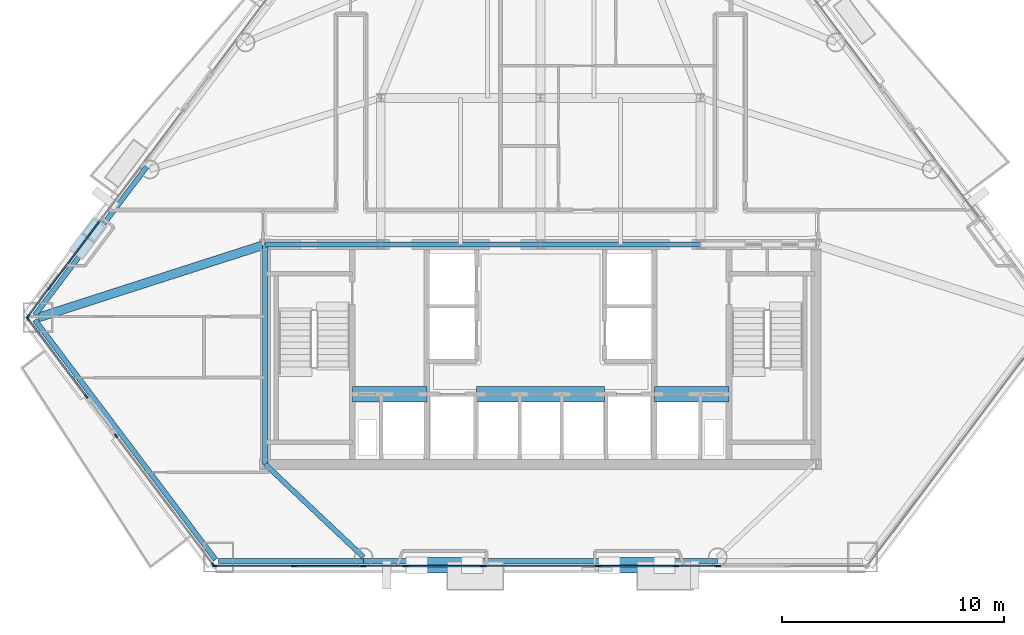
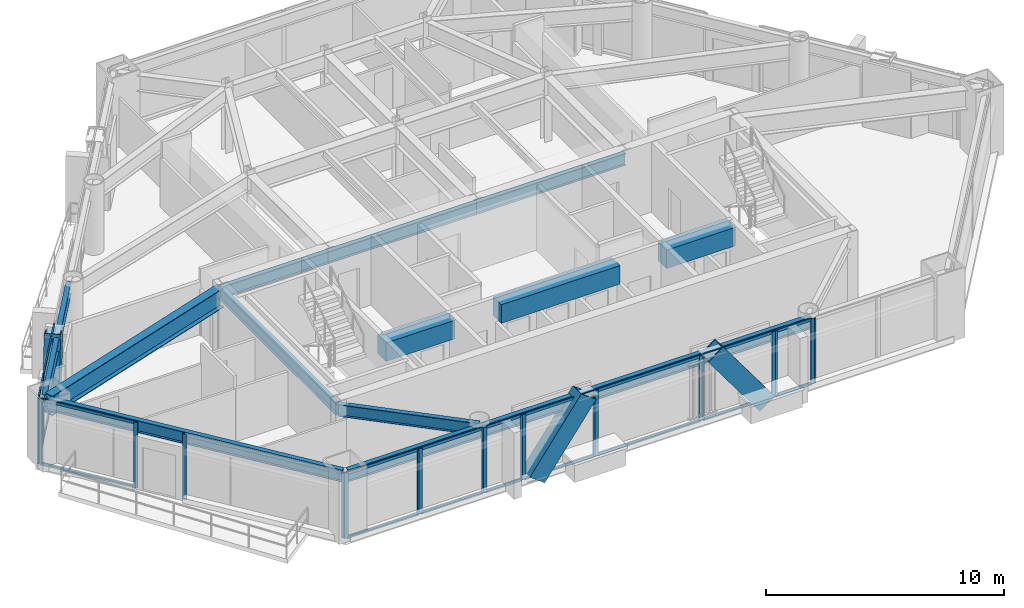
# One storey, part 2 of 10: 45 members, 13 beams, 12 elements without a shape of their own.
"""IFC4 building model written with IfcOpenShell, lengths in metres."""

from ifc_helpers import new_model, si_unit, direction, frame, origin, origin_2d, place, context, subcontext, project, spatial, rectangle, hollow_rectangle, i_section, extrude, material, layer, layer_set, material_profile, profile_set, type_object, element, aggregate, save


model = new_model("IFC4")

# Units and contexts
model_context = context("Model", 3, precision=1e-05, world=origin(), true_north=direction((0.0, 1.0)))
body_context = subcontext(model_context, "Body", "Model", "MODEL_VIEW")
ifc_project = project(units=[si_unit("LENGTHUNIT", "METRE"), si_unit("AREAUNIT", "SQUARE_METRE"), si_unit("VOLUMEUNIT", "CUBIC_METRE"), si_unit("PLANEANGLEUNIT", "RADIAN"), si_unit("MASSUNIT", "GRAM", prefix="KILO")], contexts=[model_context])

# Site, building, storey
site_placement = place(None, origin())
site = spatial("IfcSite", under=ifc_project, at=site_placement, CompositionType="ELEMENT")
building_placement = place(site_placement, origin())
building = spatial("IfcBuilding", under=site, at=building_placement, Name="Talgorran Terracotta Tower", CompositionType="ELEMENT")
storey_placement = place(building_placement, frame((0.0, 0.0, 31.5)))
storey = spatial("IfcBuildingStorey", under=building, at=storey_placement, Name="L07", CompositionType="ELEMENT", Elevation=31.5)

# Beams
ifc_material_1 = material(Name="Steel Grade 350 (350L0)", Category="steel")
ifc_material_profile_1 = material_profile(ifc_material_1, i_section(OverallWidth=0.39990234375, OverallDepth=1.0, WebThickness=0.01611328125, FlangeThickness=0.031005859375, at=origin_2d()), Name="1000WB296")
ifc_profile_set_1 = profile_set([ifc_material_profile_1], Name="Steel Grade 350 (350L0)")
beam_type_1 = type_object("IfcBeamType", Name="BM_1000WB296", PredefinedType="BEAM", material=ifc_profile_set_1)
beam_1_placement = place(storey_placement, frame((-12.39990234375, -4.199951171875, 2.85009765625), z_axis=(-0.951935828117, -0.306297533694, 0.0), x_axis=(0.306297533694, -0.951935828117, 0.0)))
element("IfcBeam", 1, at=beam_1_placement, inside=storey, type_object=beam_type_1, Name="L07 Floor Girder G17", PredefinedType="BEAM", context=body_context, shape_type="SweptSolid", body=[
    extrude(i_section(OverallWidth=0.39990234375, OverallDepth=1.0, WebThickness=0.01611328125, FlangeThickness=0.031005859375, at=origin_2d()), origin(), (0.0, 0.0, 1.0), 10.742919921875),
])
ifc_material_2 = material(Name="Concrete C65/80", Category="concrete")
ifc_material_profile_2 = material_profile(ifc_material_2, rectangle(XDim=0.699951171875, YDim=0.949951171875, at=origin_2d()), Name="RCCB700X950")
ifc_profile_set_2 = profile_set([ifc_material_profile_2], Name="Concrete C65/80")
beam_type_2 = type_object("IfcBeamType", Name="BM_CB_700X950", PredefinedType="LINTEL", material=ifc_profile_set_2)
beam_2_placement = place(storey_placement, frame((-8.47998046875, -10.949951171875, 2.875), z_axis=(1.0, 0.0, 0.0), x_axis=(0.0, 1.0, 0.0)))
element("IfcBeam", 2, at=beam_2_placement, inside=storey, type_object=beam_type_2, Name="L07 Core Shear-Wall Coupling Beam CB1", PredefinedType="LINTEL", context=body_context, shape_type="SweptSolid", body=[
    extrude(rectangle(XDim=0.699951171875, YDim=0.949951171875, at=origin_2d()), origin(), (0.0, 0.0, 1.0), 3.35986328125),
])
beam_3_placement = place(storey_placement, frame((-2.8798828125, -10.949951171875, 2.875), z_axis=(1.0, 0.0, 0.0), x_axis=(0.0, 1.0, 0.0)))
element("IfcBeam", 3, at=beam_3_placement, inside=storey, type_object=beam_type_2, Name="L07 Core Shear-Wall Coupling Beam CB2", PredefinedType="LINTEL", context=body_context, shape_type="SweptSolid", body=[
    extrude(rectangle(XDim=0.699951171875, YDim=0.949951171875, at=origin_2d()), origin(), (0.0, 0.0, 1.0), 5.759765625),
])
beam_4_placement = place(storey_placement, frame((5.1201171875, -10.949951171875, 2.875), z_axis=(1.0, 0.0, 0.0), x_axis=(0.0, 1.0, 0.0)))
element("IfcBeam", 4, at=beam_4_placement, inside=storey, type_object=beam_type_2, Name="L07 Core Shear-Wall Coupling Beam CB3", PredefinedType="LINTEL", context=body_context, shape_type="SweptSolid", body=[
    extrude(rectangle(XDim=0.699951171875, YDim=0.949951171875, at=origin_2d()), origin(), (0.0, 0.0, 1.0), 3.35986328125),
])
ifc_material_3 = material(Name="Steel S355 (300PLUS)", Category="steel")
ifc_material_profile_3 = material_profile(ifc_material_3, i_section(OverallWidth=0.22900390625, OverallDepth=0.611572265625, WebThickness=0.011962890625, FlangeThickness=0.01953125, at=origin_2d()), Name="610UB125")
ifc_profile_set_3 = profile_set([ifc_material_profile_3], Name="Steel S355 (300PLUS)")
beam_type_3 = type_object("IfcBeamType", Name="BM_SP_610UB125", PredefinedType="SPANDREL", material=ifc_profile_set_3)
beam_5_placement = place(storey_placement, frame((-22.770263671875, -7.5986328125, 3.044189453125), z_axis=(0.601820005964, -0.798631755205, 0.0), x_axis=(0.798631755205, 0.601820005964, 0.0)))
element("IfcBeam", 5, at=beam_5_placement, inside=storey, type_object=beam_type_3, Name="L07 Perimeter Spandrel Beam MC1-MC2", PredefinedType="SPANDREL", context=body_context, shape_type="SweptSolid", body=[
    extrude(i_section(OverallWidth=0.22900390625, OverallDepth=0.611572265625, WebThickness=0.011962890625, FlangeThickness=0.01953125, at=origin_2d()), origin(), (0.0, 0.0, 1.0), 13.510009765625),
])
beam_6_placement = place(storey_placement, frame((-14.495849609375, -18.4599609375, 3.044189453125), z_axis=(1.0, 0.0, 0.0), x_axis=(0.0, 1.0, 0.0)))
element("IfcBeam", 6, at=beam_6_placement, inside=storey, type_object=beam_type_3, Name="L07 Perimeter Spandrel Beam MC2-FC1", PredefinedType="SPANDREL", context=body_context, shape_type="SweptSolid", body=[
    extrude(i_section(OverallWidth=0.22900390625, OverallDepth=0.611572265625, WebThickness=0.011962890625, FlangeThickness=0.01953125, at=origin_2d()), origin(), (0.0, 0.0, 1.0), 6.523193359375),
])
beam_7_placement = place(storey_placement, frame((-7.97265625, -18.4599609375, 3.044189453125), z_axis=(1.0, 0.0, 0.0), x_axis=(0.0, 1.0, 0.0)))
element("IfcBeam", 7, at=beam_7_placement, inside=storey, type_object=beam_type_3, Name="L07 Perimeter Spandrel Beam FC1-FC2", PredefinedType="SPANDREL", context=body_context, shape_type="SweptSolid", body=[
    extrude(i_section(OverallWidth=0.22900390625, OverallDepth=0.611572265625, WebThickness=0.011962890625, FlangeThickness=0.01953125, at=origin_2d()), origin(), (0.0, 0.0, 1.0), 15.9453125),
])
beam_8_placement = place(storey_placement, frame((-17.7431640625, -0.710693359375, 3.044189453125), z_axis=(-0.601803503312, -0.798644190739, 0.0), x_axis=(0.798644190739, -0.601803503312, 0.0)))
element("IfcBeam", 8, at=beam_8_placement, inside=storey, type_object=beam_type_3, Name="L07 Perimeter Spandrel Beam FC6-MC1", PredefinedType="SPANDREL", context=body_context, shape_type="SweptSolid", body=[
    extrude(i_section(OverallWidth=0.22900390625, OverallDepth=0.611572265625, WebThickness=0.011962890625, FlangeThickness=0.01953125, at=origin_2d()), origin(), (0.0, 0.0, 1.0), 8.353271484375),
])
beam_9_placement = place(storey_placement, frame((-7.97265625, -18.280029296875, 3.044189453125), z_axis=(-0.727124342691, 0.686505783126, 0.0), x_axis=(-0.686505783126, -0.727124342691, 0.0)))
element("IfcBeam", 9, at=beam_9_placement, inside=storey, type_object=beam_type_3, Name="L07 South-West Core Tie Beam", PredefinedType="SPANDREL", context=body_context, shape_type="SweptSolid", body=[
    extrude(i_section(OverallWidth=0.22900390625, OverallDepth=0.611572265625, WebThickness=0.011962890625, FlangeThickness=0.01953125, at=origin_2d()), origin(), (0.0, 0.0, 1.0), 6.088623046875),
])
beam_10_placement = place(storey_placement, frame((-12.39990234375, -14.10009765625, 3.044189453125), z_axis=(0.0, 1.0, 0.0), x_axis=(-1.0, 0.0, 0.0)))
element("IfcBeam", 10, at=beam_10_placement, inside=storey, type_object=beam_type_3, Name="L07 Core Frame Beam CFW", PredefinedType="SPANDREL", context=body_context, shape_type="SweptSolid", body=[
    extrude(i_section(OverallWidth=0.22900390625, OverallDepth=0.611572265625, WebThickness=0.011962890625, FlangeThickness=0.01953125, at=origin_2d()), origin(), (0.0, 0.0, 1.0), 9.900146484375),
])
beam_11_placement = place(storey_placement, frame((-12.39990234375, -4.199951171875, 3.044189453125), z_axis=(1.0, 0.0, 0.0), x_axis=(0.0, 1.0, 0.0)))
element("IfcBeam", 11, at=beam_11_placement, inside=storey, type_object=beam_type_3, Name="L07 Core Frame Beam CFN1", PredefinedType="SPANDREL", context=body_context, shape_type="SweptSolid", body=[
    extrude(i_section(OverallWidth=0.22900390625, OverallDepth=0.611572265625, WebThickness=0.011962890625, FlangeThickness=0.01953125, at=origin_2d()), origin(), (0.0, 0.0, 1.0), 5.199951171875),
])
for number, where, z_axis, x_axis, name in (
    (12, (-7.199951171875, -4.199951171875, 3.044189453125), (1.0, 0.0, 0.0), (0.0, 1.0, 0.0), "L07 Core Frame Beam CFN2"),
    (13, (0.0, -4.199951171875, 3.044189453125), (1.0, 0.0, 0.0), (0.0, 1.0, 0.0), "L07 Core Frame Beam CFN3"),
):
    element("IfcBeam", number, at=place(storey_placement, frame(where, z_axis=z_axis, x_axis=x_axis)), inside=storey, type_object=beam_type_3, Name=name, PredefinedType="SPANDREL", context=body_context, shape_type="SweptSolid", body=[
        extrude(i_section(OverallWidth=0.22900390625, OverallDepth=0.611572265625, WebThickness=0.011962890625, FlangeThickness=0.01953125, at=origin_2d()), origin(), (0.0, 0.0, 1.0), 7.199951171875),
    ])

# Members
ifc_material_profile_4 = material_profile(ifc_material_1, hollow_rectangle(XDim=0.699951171875, YDim=0.89990234375, WallThickness=0.050048828125, at=origin_2d()), Name="WBOX900X700X50")
ifc_profile_set_4 = profile_set([ifc_material_profile_4], Name="Steel Grade 350 (350L0)")
member_type_1 = type_object("IfcMemberType", Name="MB_MEGA_900", PredefinedType="BRACE", material=ifc_profile_set_4)
for number, where, z_axis, x_axis, name in (
    (14, (-5.57666015625, -18.639892578125, -0.02490234375), (0.591612108444, 0.0, 0.806222744123), (0.0, 1.0, 0.0), "L07 Exterior Face Mega-Brace MB-1 (SWF)"),
    (15, (5.57666015625, -18.639892578125, -0.02490234375), (-0.591612108444, 0.0, 0.806222744123), (0.0, -1.0, 0.0), "L07 Exterior Face Mega-Brace MB-1 (SEF)"),
):
    element("IfcMember", number, at=place(storey_placement, frame(where, z_axis=z_axis, x_axis=x_axis)), inside=storey, type_object=member_type_1, Name=name, PredefinedType="BRACE", context=body_context, shape_type="SweptSolid", body=[
        extrude(hollow_rectangle(XDim=0.699951171875, YDim=0.89990234375, WallThickness=0.050048828125, at=origin_2d()), origin(), (0.0, 0.0, 1.0), 4.217041015625),
    ])
member_1_placement = place(storey_placement, frame((-20.64794921875, -4.2666015625, -0.02490234375), z_axis=(0.153970521354, 0.204299028109, 0.966723841471), x_axis=(-0.79859763006, 0.601865288302, 0.0)))
element("IfcMember", 16, at=member_1_placement, inside=storey, type_object=member_type_1, Name="L07 Exterior Face Mega-Brace MB-1 (NWL)", PredefinedType="BRACE", context=body_context, shape_type="SweptSolid", body=[
    extrude(hollow_rectangle(XDim=0.699951171875, YDim=0.89990234375, WallThickness=0.050048828125, at=origin_2d()), origin(), (0.0, 0.0, 1.0), 3.516845703125),
])

# Curtain wall, members
ifc_material_4 = material(Name="Unitised Low-E Double Glazing", Category="glass")
ifc_layer = layer(ifc_material_4, 0.199951171875, Name="CW_SYS2_RES_LOW")
ifc_layer_set = layer_set([ifc_layer], Name="Unitised Low-E Double Glazing")
curtain_wall_type = type_object("IfcCurtainWallType", Name="CW_SYS2_RES_LOW", PredefinedType="NOTDEFINED", material=ifc_layer_set)
curtain_wall_1_placement = place(storey_placement, origin())
curtain_wall_1 = element("IfcCurtainWall", 17, at=curtain_wall_1_placement, inside=storey, type_object=curtain_wall_type, Name="CW-L07-F10", PredefinedType="NOTDEFINED")
ifc_material_5 = material(Name="Architectural Aluminium 6063-T6", Category="aluminium")
ifc_material_profile_5 = material_profile(ifc_material_5, rectangle(XDim=0.06494140625, YDim=0.18505859375, at=origin_2d()), Name="CWM65X185")
ifc_profile_set_5 = profile_set([ifc_material_profile_5], Name="Architectural Aluminium 6063-T6")
member_type_2 = type_object("IfcMemberType", Name="MUL_65X185", PredefinedType="MULLION", material=ifc_profile_set_5)
member_2_placement = place(storey_placement, frame((-23.083740234375, -7.54833984375, 0.0), z_axis=(0.0, 0.0, 1.0), x_axis=(0.79864555374, 0.601801694491, 0.0)))
member_2 = element("IfcMember", 18, at=member_2_placement, type_object=member_type_2, Name="CW-L07-10 mullion 1", PredefinedType="MULLION", context=body_context, shape_type="SweptSolid", body=[
    extrude(rectangle(XDim=0.06494140625, YDim=0.18505859375, at=origin_2d()), origin(), (0.0, 0.0, 1.0), 3.35009765625),
])
member_3_placement = place(storey_placement, frame((-20.452880859375, -11.03955078125, 0.0), z_axis=(0.0, 0.0, 1.0), x_axis=(0.79864555374, 0.601801694491, 0.0)))
member_3 = element("IfcMember", 19, at=member_3_placement, type_object=member_type_2, Name="CW-L07-10 mullion 2", PredefinedType="MULLION", context=body_context, shape_type="SweptSolid", body=[
    extrude(rectangle(XDim=0.06494140625, YDim=0.18505859375, at=origin_2d()), origin(), (0.0, 0.0, 1.0), 3.35009765625),
])

curtain_wall_2_placement = place(storey_placement, origin())
curtain_wall_2 = element("IfcCurtainWall", 20, at=curtain_wall_2_placement, inside=storey, type_object=curtain_wall_type, Name="CW-L07-F11", PredefinedType="NOTDEFINED")
member_4_placement = place(storey_placement, frame((-19.11376953125, -12.816650390625, 0.0), z_axis=(0.0, 0.0, 1.0), x_axis=(0.798638317959, 0.601811296909, 0.0)))
member_4 = element("IfcMember", 21, at=member_4_placement, type_object=member_type_2, Name="CW-L07-11 mullion 1", PredefinedType="MULLION", context=body_context, shape_type="SweptSolid", body=[
    extrude(rectangle(XDim=0.06494140625, YDim=0.18505859375, at=origin_2d()), origin(), (0.0, 0.0, 1.0), 3.35009765625),
])
member_5_placement = place(storey_placement, frame((-14.739013671875, -18.6220703125, 0.0), z_axis=(0.0, 0.0, 1.0), x_axis=(0.798638317959, 0.601811296909, 0.0)))
member_5 = element("IfcMember", 22, at=member_5_placement, type_object=member_type_2, Name="CW-L07-11 mullion 2", PredefinedType="MULLION", context=body_context, shape_type="SweptSolid", body=[
    extrude(rectangle(XDim=0.06494140625, YDim=0.18505859375, at=origin_2d()), origin(), (0.0, 0.0, 1.0), 3.35009765625),
])
aggregate(curtain_wall_2, [member_4, member_5])

curtain_wall_3_placement = place(storey_placement, origin())
curtain_wall_3 = element("IfcCurtainWall", 23, at=curtain_wall_3_placement, inside=storey, type_object=curtain_wall_type, Name="CW-L07-F1", PredefinedType="NOTDEFINED")
member_6_placement = place(storey_placement, frame((-14.662841796875, -18.679931640625, 0.0), z_axis=(0.0, 0.0, 1.0), x_axis=(0.0, 1.0, 0.0)))
member_6 = element("IfcMember", 24, at=member_6_placement, type_object=member_type_2, Name="CW-L07-1 mullion 1", PredefinedType="MULLION", context=body_context, shape_type="SweptSolid", body=[
    extrude(rectangle(XDim=0.06494140625, YDim=0.18505859375, at=origin_2d()), origin(), (0.0, 0.0, 1.0), 3.35009765625),
])
member_7_placement = place(storey_placement, frame((-11.138916015625, -18.679931640625, 0.0), z_axis=(0.0, 0.0, 1.0), x_axis=(0.0, 1.0, 0.0)))
member_7 = element("IfcMember", 25, at=member_7_placement, type_object=member_type_2, Name="CW-L07-1 mullion 2", PredefinedType="MULLION", context=body_context, shape_type="SweptSolid", body=[
    extrude(rectangle(XDim=0.06494140625, YDim=0.18505859375, at=origin_2d()), origin(), (0.0, 0.0, 1.0), 3.35009765625),
])

curtain_wall_4_placement = place(storey_placement, origin())
curtain_wall_4 = element("IfcCurtainWall", 26, at=curtain_wall_4_placement, inside=storey, type_object=curtain_wall_type, Name="CW-L07-F1B", PredefinedType="NOTDEFINED")
member_8_placement = place(storey_placement, frame((-11.06396484375, -18.679931640625, 0.0), z_axis=(0.0, 0.0, 1.0), x_axis=(0.0, 1.0, 0.0)))
member_8 = element("IfcMember", 27, at=member_8_placement, type_object=member_type_2, Name="CW-L07-1B mullion 1", PredefinedType="MULLION", context=body_context, shape_type="SweptSolid", body=[
    extrude(rectangle(XDim=0.06494140625, YDim=0.18505859375, at=origin_2d()), origin(), (0.0, 0.0, 1.0), 3.35009765625),
])
member_9_placement = place(storey_placement, frame((-8.01416015625, -18.679931640625, 0.0), z_axis=(0.0, 0.0, 1.0), x_axis=(0.0, 1.0, 0.0)))
member_9 = element("IfcMember", 28, at=member_9_placement, type_object=member_type_2, Name="CW-L07-1B mullion 2", PredefinedType="MULLION", context=body_context, shape_type="SweptSolid", body=[
    extrude(rectangle(XDim=0.06494140625, YDim=0.18505859375, at=origin_2d()), origin(), (0.0, 0.0, 1.0), 3.35009765625),
])

curtain_wall_5_placement = place(storey_placement, origin())
curtain_wall_5 = element("IfcCurtainWall", 29, at=curtain_wall_5_placement, inside=storey, type_object=curtain_wall_type, Name="CW-L07-F1C", PredefinedType="NOTDEFINED")
member_10_placement = place(storey_placement, frame((-7.939208984375, -18.679931640625, 0.0), z_axis=(0.0, 0.0, 1.0), x_axis=(0.0, 1.0, 0.0)))
member_10 = element("IfcMember", 30, at=member_10_placement, type_object=member_type_2, Name="CW-L07-1C mullion 1", PredefinedType="MULLION", context=body_context, shape_type="SweptSolid", body=[
    extrude(rectangle(XDim=0.06494140625, YDim=0.18505859375, at=origin_2d()), origin(), (0.0, 0.0, 1.0), 3.35009765625),
])
member_11_placement = place(storey_placement, frame((-6.126953125, -18.679931640625, 0.0), z_axis=(0.0, 0.0, 1.0), x_axis=(0.0, 1.0, 0.0)))
member_11 = element("IfcMember", 31, at=member_11_placement, type_object=member_type_2, Name="CW-L07-1C mullion 2", PredefinedType="MULLION", context=body_context, shape_type="SweptSolid", body=[
    extrude(rectangle(XDim=0.06494140625, YDim=0.18505859375, at=origin_2d()), origin(), (0.0, 0.0, 1.0), 3.35009765625),
])

curtain_wall_6_placement = place(storey_placement, origin())
curtain_wall_6 = element("IfcCurtainWall", 32, at=curtain_wall_6_placement, inside=storey, type_object=curtain_wall_type, Name="CW-L07-F1D", PredefinedType="NOTDEFINED")
member_12_placement = place(storey_placement, frame((-6.052001953125, -18.679931640625, 0.0), z_axis=(0.0, 0.0, 1.0), x_axis=(0.0, 1.0, 0.0)))
member_12 = element("IfcMember", 33, at=member_12_placement, type_object=member_type_2, Name="CW-L07-1D mullion 1", PredefinedType="MULLION", context=body_context, shape_type="SweptSolid", body=[
    extrude(rectangle(XDim=0.06494140625, YDim=0.18505859375, at=origin_2d()), origin(), (0.0, 0.0, 1.0), 3.35009765625),
])
member_13_placement = place(storey_placement, frame((-2.6064453125, -18.679931640625, 0.0), z_axis=(0.0, 0.0, 1.0), x_axis=(0.0, 1.0, 0.0)))
member_13 = element("IfcMember", 34, at=member_13_placement, type_object=member_type_2, Name="CW-L07-1D mullion 2", PredefinedType="MULLION", context=body_context, shape_type="SweptSolid", body=[
    extrude(rectangle(XDim=0.06494140625, YDim=0.18505859375, at=origin_2d()), origin(), (0.0, 0.0, 1.0), 3.35009765625),
])

curtain_wall_7_placement = place(storey_placement, origin())
curtain_wall_7 = element("IfcCurtainWall", 35, at=curtain_wall_7_placement, inside=storey, type_object=curtain_wall_type, Name="CW-L07-F1E", PredefinedType="NOTDEFINED")
member_14_placement = place(storey_placement, frame((-2.531494140625, -18.679931640625, 0.0), z_axis=(0.0, 0.0, 1.0), x_axis=(0.0, 1.0, 0.0)))
member_14 = element("IfcMember", 36, at=member_14_placement, type_object=member_type_2, Name="CW-L07-1E mullion 1", PredefinedType="MULLION", context=body_context, shape_type="SweptSolid", body=[
    extrude(rectangle(XDim=0.06494140625, YDim=0.18505859375, at=origin_2d()), origin(), (0.0, 0.0, 1.0), 3.35009765625),
])
member_15_placement = place(storey_placement, frame((2.531494140625, -18.679931640625, 0.0), z_axis=(0.0, 0.0, 1.0), x_axis=(0.0, 1.0, 0.0)))
member_15 = element("IfcMember", 37, at=member_15_placement, type_object=member_type_2, Name="CW-L07-1E mullion 2", PredefinedType="MULLION", context=body_context, shape_type="SweptSolid", body=[
    extrude(rectangle(XDim=0.06494140625, YDim=0.18505859375, at=origin_2d()), origin(), (0.0, 0.0, 1.0), 3.35009765625),
])

curtain_wall_8_placement = place(storey_placement, origin())
curtain_wall_8 = element("IfcCurtainWall", 38, at=curtain_wall_8_placement, inside=storey, type_object=curtain_wall_type, Name="CW-L07-F1F", PredefinedType="NOTDEFINED")
member_16_placement = place(storey_placement, frame((2.6064453125, -18.679931640625, 0.0), z_axis=(0.0, 0.0, 1.0), x_axis=(0.0, 1.0, 0.0)))
member_16 = element("IfcMember", 39, at=member_16_placement, type_object=member_type_2, Name="CW-L07-1F mullion 1", PredefinedType="MULLION", context=body_context, shape_type="SweptSolid", body=[
    extrude(rectangle(XDim=0.06494140625, YDim=0.18505859375, at=origin_2d()), origin(), (0.0, 0.0, 1.0), 3.35009765625),
])
member_17_placement = place(storey_placement, frame((6.052001953125, -18.679931640625, 0.0), z_axis=(0.0, 0.0, 1.0), x_axis=(0.0, 1.0, 0.0)))
member_17 = element("IfcMember", 40, at=member_17_placement, type_object=member_type_2, Name="CW-L07-1F mullion 2", PredefinedType="MULLION", context=body_context, shape_type="SweptSolid", body=[
    extrude(rectangle(XDim=0.06494140625, YDim=0.18505859375, at=origin_2d()), origin(), (0.0, 0.0, 1.0), 3.35009765625),
])

curtain_wall_9_placement = place(storey_placement, origin())
curtain_wall_9 = element("IfcCurtainWall", 41, at=curtain_wall_9_placement, inside=storey, type_object=curtain_wall_type, Name="CW-L07-F1G", PredefinedType="NOTDEFINED")
member_18_placement = place(storey_placement, frame((6.126953125, -18.679931640625, 0.0), z_axis=(0.0, 0.0, 1.0), x_axis=(0.0, 1.0, 0.0)))
member_18 = element("IfcMember", 42, at=member_18_placement, type_object=member_type_2, Name="CW-L07-1G mullion 1", PredefinedType="MULLION", context=body_context, shape_type="SweptSolid", body=[
    extrude(rectangle(XDim=0.06494140625, YDim=0.18505859375, at=origin_2d()), origin(), (0.0, 0.0, 1.0), 3.35009765625),
])
member_19_placement = place(storey_placement, frame((7.939208984375, -18.679931640625, 0.0), z_axis=(0.0, 0.0, 1.0), x_axis=(0.0, 1.0, 0.0)))
member_19 = element("IfcMember", 43, at=member_19_placement, type_object=member_type_2, Name="CW-L07-1G mullion 2", PredefinedType="MULLION", context=body_context, shape_type="SweptSolid", body=[
    extrude(rectangle(XDim=0.06494140625, YDim=0.18505859375, at=origin_2d()), origin(), (0.0, 0.0, 1.0), 3.35009765625),
])

# Curtain wall, member
curtain_wall_10_placement = place(storey_placement, origin())
curtain_wall_10 = element("IfcCurtainWall", 44, at=curtain_wall_10_placement, inside=storey, type_object=curtain_wall_type, Name="CW-L07-F1H", PredefinedType="NOTDEFINED")
member_20_placement = place(storey_placement, frame((8.01416015625, -18.679931640625, 0.0), z_axis=(0.0, 0.0, 1.0), x_axis=(0.0, 1.0, 0.0)))
member_20 = element("IfcMember", 45, at=member_20_placement, type_object=member_type_2, Name="CW-L07-1H mullion 1", PredefinedType="MULLION", context=body_context, shape_type="SweptSolid", body=[
    extrude(rectangle(XDim=0.06494140625, YDim=0.18505859375, at=origin_2d()), origin(), (0.0, 0.0, 1.0), 3.35009765625),
])
aggregate(curtain_wall_10, [member_20])

curtain_wall_11_placement = place(storey_placement, origin())
curtain_wall_11 = element("IfcCurtainWall", 46, at=curtain_wall_11_placement, inside=storey, type_object=curtain_wall_type, Name="CW-L07-F61B", PredefinedType="NOTDEFINED")
member_21_placement = place(storey_placement, frame((-22.09228515625, -6.116943359375, 0.0), z_axis=(0.0, 0.0, 1.0), x_axis=(0.798648498469, -0.601797786547, 0.0)))
member_21 = element("IfcMember", 47, at=member_21_placement, type_object=member_type_2, Name="CW-L07-61B mullion 2", PredefinedType="MULLION", context=body_context, shape_type="SweptSolid", body=[
    extrude(rectangle(XDim=0.06494140625, YDim=0.18505859375, at=origin_2d()), origin(), (0.0, 0.0, 1.0), 3.35009765625),
])

# Curtain wall, members
curtain_wall_12_placement = place(storey_placement, origin())
curtain_wall_12 = element("IfcCurtainWall", 48, at=curtain_wall_12_placement, inside=storey, type_object=curtain_wall_type, Name="CW-L07-F61C", PredefinedType="NOTDEFINED")
member_22_placement = place(storey_placement, frame((-22.137451171875, -6.1767578125, 0.0), z_axis=(0.0, 0.0, 1.0), x_axis=(0.798620032807, -0.601835561594, 0.0)))
member_22 = element("IfcMember", 49, at=member_22_placement, type_object=member_type_2, Name="CW-L07-61C mullion 1", PredefinedType="MULLION", context=body_context, shape_type="SweptSolid", body=[
    extrude(rectangle(XDim=0.06494140625, YDim=0.18505859375, at=origin_2d()), origin(), (0.0, 0.0, 1.0), 3.35009765625),
])
member_23_placement = place(storey_placement, frame((-23.083740234375, -7.4326171875, 0.0), z_axis=(0.0, 0.0, 1.0), x_axis=(0.798620032807, -0.601835561594, 0.0)))
member_23 = element("IfcMember", 50, at=member_23_placement, type_object=member_type_2, Name="CW-L07-61C mullion 2", PredefinedType="MULLION", context=body_context, shape_type="SweptSolid", body=[
    extrude(rectangle(XDim=0.06494140625, YDim=0.18505859375, at=origin_2d()), origin(), (0.0, 0.0, 1.0), 3.35009765625),
])

# Member
ifc_material_profile_6 = material_profile(ifc_material_5, rectangle(XDim=0.06494140625, YDim=0.14990234375, at=origin_2d()), Name="CWT65X150")
ifc_profile_set_6 = profile_set([ifc_material_profile_6], Name="Architectural Aluminium 6063-T6")
member_type_3 = type_object("IfcMemberType", Name="TRN_65X150", PredefinedType="USERDEFINED", material=ifc_profile_set_6)
member_24_placement = place(storey_placement, frame((-23.06396484375, -7.57421875, 0.032470703125), z_axis=(0.601776352282, -0.79866464917, 0.0), x_axis=(0.79866464917, 0.601776352282, 0.0)))
member_24 = element("IfcMember", 51, at=member_24_placement, type_object=member_type_3, Name="CW-L07-10 transom 1.1", ObjectType="TRANSOM", PredefinedType="USERDEFINED", context=body_context, shape_type="SweptSolid", body=[
    extrude(rectangle(XDim=0.06494140625, YDim=0.14990234375, at=origin_2d()), origin(), (0.0, 0.0, 1.0), 4.306396484375),
])

member_25_placement = place(storey_placement, frame((-23.06396484375, -7.57421875, 3.3173828125), z_axis=(0.601776352282, -0.79866464917, 0.0), x_axis=(0.79866464917, 0.601776352282, 0.0)))
member_25 = element("IfcMember", 52, at=member_25_placement, type_object=member_type_3, Name="CW-L07-10 transom 1.2", ObjectType="TRANSOM", PredefinedType="USERDEFINED", context=body_context, shape_type="SweptSolid", body=[
    extrude(rectangle(XDim=0.06494140625, YDim=0.14990234375, at=origin_2d()), origin(), (0.0, 0.0, 1.0), 4.306396484375),
])

aggregate(curtain_wall_1, [member_2, member_3, member_24, member_25])

member_26_placement = place(storey_placement, frame((-14.63037109375, -18.679931640625, 0.032470703125), z_axis=(1.0, 0.0, 0.0), x_axis=(0.0, 1.0, 0.0)))
member_26 = element("IfcMember", 53, at=member_26_placement, type_object=member_type_3, Name="CW-L07-1 transom 1.1", ObjectType="TRANSOM", PredefinedType="USERDEFINED", context=body_context, shape_type="SweptSolid", body=[
    extrude(rectangle(XDim=0.06494140625, YDim=0.14990234375, at=origin_2d()), origin(), (0.0, 0.0, 1.0), 3.458984375),
])

member_27_placement = place(storey_placement, frame((-14.63037109375, -18.679931640625, 3.3173828125), z_axis=(1.0, 0.0, 0.0), x_axis=(0.0, 1.0, 0.0)))
member_27 = element("IfcMember", 54, at=member_27_placement, type_object=member_type_3, Name="CW-L07-1 transom 1.2", ObjectType="TRANSOM", PredefinedType="USERDEFINED", context=body_context, shape_type="SweptSolid", body=[
    extrude(rectangle(XDim=0.06494140625, YDim=0.14990234375, at=origin_2d()), origin(), (0.0, 0.0, 1.0), 3.458984375),
])

aggregate(curtain_wall_3, [member_6, member_7, member_26, member_27])

member_28_placement = place(storey_placement, frame((-11.031494140625, -18.679931640625, 0.032470703125), z_axis=(1.0, 0.0, 0.0), x_axis=(0.0, 1.0, 0.0)))
member_28 = element("IfcMember", 55, at=member_28_placement, type_object=member_type_3, Name="CW-L07-1B transom 1.1", ObjectType="TRANSOM", PredefinedType="USERDEFINED", context=body_context, shape_type="SweptSolid", body=[
    extrude(rectangle(XDim=0.06494140625, YDim=0.14990234375, at=origin_2d()), origin(), (0.0, 0.0, 1.0), 2.98486328125),
])

member_29_placement = place(storey_placement, frame((-11.031494140625, -18.679931640625, 3.3173828125), z_axis=(1.0, 0.0, 0.0), x_axis=(0.0, 1.0, 0.0)))
member_29 = element("IfcMember", 56, at=member_29_placement, type_object=member_type_3, Name="CW-L07-1B transom 1.2", ObjectType="TRANSOM", PredefinedType="USERDEFINED", context=body_context, shape_type="SweptSolid", body=[
    extrude(rectangle(XDim=0.06494140625, YDim=0.14990234375, at=origin_2d()), origin(), (0.0, 0.0, 1.0), 2.98486328125),
])

aggregate(curtain_wall_4, [member_8, member_9, member_28, member_29])

member_30_placement = place(storey_placement, frame((-7.906494140625, -18.679931640625, 0.032470703125), z_axis=(1.0, 0.0, 0.0), x_axis=(0.0, 1.0, 0.0)))
member_30 = element("IfcMember", 57, at=member_30_placement, type_object=member_type_3, Name="CW-L07-1C transom 1.1", ObjectType="TRANSOM", PredefinedType="USERDEFINED", context=body_context, shape_type="SweptSolid", body=[
    extrude(rectangle(XDim=0.06494140625, YDim=0.14990234375, at=origin_2d()), origin(), (0.0, 0.0, 1.0), 1.7470703125),
])

member_31_placement = place(storey_placement, frame((-7.906494140625, -18.679931640625, 3.3173828125), z_axis=(1.0, 0.0, 0.0), x_axis=(0.0, 1.0, 0.0)))
member_31 = element("IfcMember", 58, at=member_31_placement, type_object=member_type_3, Name="CW-L07-1C transom 1.2", ObjectType="TRANSOM", PredefinedType="USERDEFINED", context=body_context, shape_type="SweptSolid", body=[
    extrude(rectangle(XDim=0.06494140625, YDim=0.14990234375, at=origin_2d()), origin(), (0.0, 0.0, 1.0), 1.7470703125),
])

aggregate(curtain_wall_5, [member_10, member_11, member_30, member_31])

member_32_placement = place(storey_placement, frame((-6.01953125, -18.679931640625, 0.032470703125), z_axis=(1.0, 0.0, 0.0), x_axis=(0.0, 1.0, 0.0)))
member_32 = element("IfcMember", 59, at=member_32_placement, type_object=member_type_3, Name="CW-L07-1D transom 1.1", ObjectType="TRANSOM", PredefinedType="USERDEFINED", context=body_context, shape_type="SweptSolid", body=[
    extrude(rectangle(XDim=0.06494140625, YDim=0.14990234375, at=origin_2d()), origin(), (0.0, 0.0, 1.0), 3.380615234375),
])

member_33_placement = place(storey_placement, frame((-6.01953125, -18.679931640625, 3.3173828125), z_axis=(1.0, 0.0, 0.0), x_axis=(0.0, 1.0, 0.0)))
member_33 = element("IfcMember", 60, at=member_33_placement, type_object=member_type_3, Name="CW-L07-1D transom 1.2", ObjectType="TRANSOM", PredefinedType="USERDEFINED", context=body_context, shape_type="SweptSolid", body=[
    extrude(rectangle(XDim=0.06494140625, YDim=0.14990234375, at=origin_2d()), origin(), (0.0, 0.0, 1.0), 3.380615234375),
])

aggregate(curtain_wall_6, [member_12, member_13, member_32, member_33])

member_34_placement = place(storey_placement, frame((-2.4990234375, -18.679931640625, 0.032470703125), z_axis=(1.0, 0.0, 0.0), x_axis=(0.0, 1.0, 0.0)))
member_34 = element("IfcMember", 61, at=member_34_placement, type_object=member_type_3, Name="CW-L07-1E transom 1.1", ObjectType="TRANSOM", PredefinedType="USERDEFINED", context=body_context, shape_type="SweptSolid", body=[
    extrude(rectangle(XDim=0.06494140625, YDim=0.14990234375, at=origin_2d()), origin(), (0.0, 0.0, 1.0), 4.998046875),
])

member_35_placement = place(storey_placement, frame((-2.4990234375, -18.679931640625, 3.3173828125), z_axis=(1.0, 0.0, 0.0), x_axis=(0.0, 1.0, 0.0)))
member_35 = element("IfcMember", 62, at=member_35_placement, type_object=member_type_3, Name="CW-L07-1E transom 1.2", ObjectType="TRANSOM", PredefinedType="USERDEFINED", context=body_context, shape_type="SweptSolid", body=[
    extrude(rectangle(XDim=0.06494140625, YDim=0.14990234375, at=origin_2d()), origin(), (0.0, 0.0, 1.0), 4.998046875),
])

aggregate(curtain_wall_7, [member_14, member_15, member_34, member_35])

member_36_placement = place(storey_placement, frame((2.638916015625, -18.679931640625, 0.032470703125), z_axis=(1.0, 0.0, 0.0), x_axis=(0.0, 1.0, 0.0)))
member_36 = element("IfcMember", 63, at=member_36_placement, type_object=member_type_3, Name="CW-L07-1F transom 1.1", ObjectType="TRANSOM", PredefinedType="USERDEFINED", context=body_context, shape_type="SweptSolid", body=[
    extrude(rectangle(XDim=0.06494140625, YDim=0.14990234375, at=origin_2d()), origin(), (0.0, 0.0, 1.0), 3.380615234375),
])

member_37_placement = place(storey_placement, frame((2.638916015625, -18.679931640625, 3.3173828125), z_axis=(1.0, 0.0, 0.0), x_axis=(0.0, 1.0, 0.0)))
member_37 = element("IfcMember", 64, at=member_37_placement, type_object=member_type_3, Name="CW-L07-1F transom 1.2", ObjectType="TRANSOM", PredefinedType="USERDEFINED", context=body_context, shape_type="SweptSolid", body=[
    extrude(rectangle(XDim=0.06494140625, YDim=0.14990234375, at=origin_2d()), origin(), (0.0, 0.0, 1.0), 3.380615234375),
])

aggregate(curtain_wall_8, [member_16, member_17, member_36, member_37])

member_38_placement = place(storey_placement, frame((6.159423828125, -18.679931640625, 0.032470703125), z_axis=(1.0, 0.0, 0.0), x_axis=(0.0, 1.0, 0.0)))
member_38 = element("IfcMember", 65, at=member_38_placement, type_object=member_type_3, Name="CW-L07-1G transom 1.1", ObjectType="TRANSOM", PredefinedType="USERDEFINED", context=body_context, shape_type="SweptSolid", body=[
    extrude(rectangle(XDim=0.06494140625, YDim=0.14990234375, at=origin_2d()), origin(), (0.0, 0.0, 1.0), 1.7470703125),
])

member_39_placement = place(storey_placement, frame((6.159423828125, -18.679931640625, 3.3173828125), z_axis=(1.0, 0.0, 0.0), x_axis=(0.0, 1.0, 0.0)))
member_39 = element("IfcMember", 66, at=member_39_placement, type_object=member_type_3, Name="CW-L07-1G transom 1.2", ObjectType="TRANSOM", PredefinedType="USERDEFINED", context=body_context, shape_type="SweptSolid", body=[
    extrude(rectangle(XDim=0.06494140625, YDim=0.14990234375, at=origin_2d()), origin(), (0.0, 0.0, 1.0), 1.7470703125),
])

aggregate(curtain_wall_9, [member_18, member_19, member_38, member_39])

member_40_placement = place(storey_placement, frame((-19.828369140625, -3.112548828125, 0.032470703125), z_axis=(-0.601800016393, -0.79864681823, 0.0), x_axis=(0.79864681823, -0.601800016393, 0.0)))
member_40 = element("IfcMember", 67, at=member_40_placement, type_object=member_type_3, Name="CW-L07-61B transom 1.1", ObjectType="TRANSOM", PredefinedType="USERDEFINED", context=body_context, shape_type="SweptSolid", body=[
    extrude(rectangle(XDim=0.06494140625, YDim=0.14990234375, at=origin_2d()), origin(), (0.0, 0.0, 1.0), 3.7294921875),
])

member_41_placement = place(storey_placement, frame((-19.828369140625, -3.112548828125, 3.3173828125), z_axis=(-0.601800016393, -0.79864681823, 0.0), x_axis=(0.79864681823, -0.601800016393, 0.0)))
member_41 = element("IfcMember", 68, at=member_41_placement, type_object=member_type_3, Name="CW-L07-61B transom 1.2", ObjectType="TRANSOM", PredefinedType="USERDEFINED", context=body_context, shape_type="SweptSolid", body=[
    extrude(rectangle(XDim=0.06494140625, YDim=0.14990234375, at=origin_2d()), origin(), (0.0, 0.0, 1.0), 3.7294921875),
])

aggregate(curtain_wall_11, [member_21, member_40, member_41])

member_42_placement = place(storey_placement, frame((-22.156982421875, -6.202880859375, 0.032470703125), z_axis=(-0.6018128051, -0.798637181465, 0.0), x_axis=(0.798637181465, -0.6018128051, 0.0)))
member_42 = element("IfcMember", 69, at=member_42_placement, type_object=member_type_3, Name="CW-L07-61C transom 1.1", ObjectType="TRANSOM", PredefinedType="USERDEFINED", context=body_context, shape_type="SweptSolid", body=[
    extrude(rectangle(XDim=0.06494140625, YDim=0.14990234375, at=origin_2d()), origin(), (0.0, 0.0, 1.0), 1.507080078125),
])

member_43_placement = place(storey_placement, frame((-22.156982421875, -6.202880859375, 3.3173828125), z_axis=(-0.6018128051, -0.798637181465, 0.0), x_axis=(0.798637181465, -0.6018128051, 0.0)))
member_43 = element("IfcMember", 70, at=member_43_placement, type_object=member_type_3, Name="CW-L07-61C transom 1.2", ObjectType="TRANSOM", PredefinedType="USERDEFINED", context=body_context, shape_type="SweptSolid", body=[
    extrude(rectangle(XDim=0.06494140625, YDim=0.14990234375, at=origin_2d()), origin(), (0.0, 0.0, 1.0), 1.507080078125),
])

aggregate(curtain_wall_12, [member_22, member_23, member_42, member_43])

save(model, "model.ifc")
